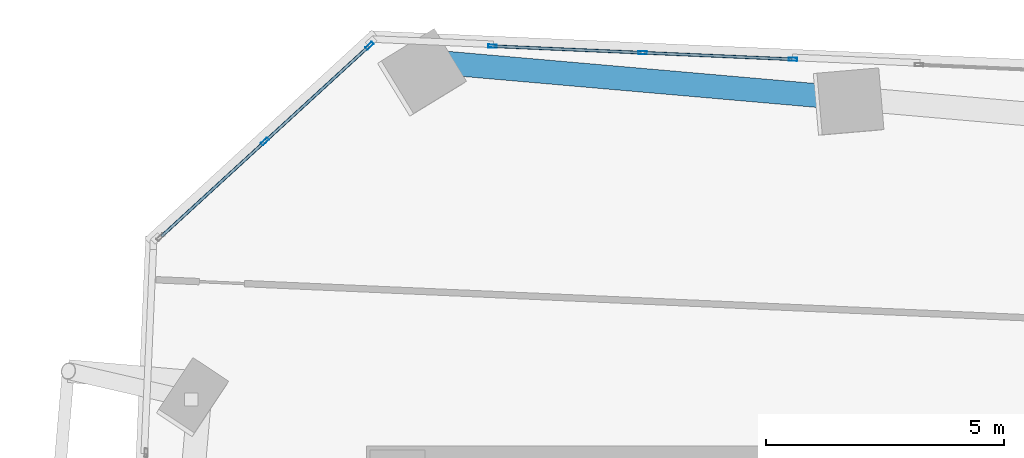
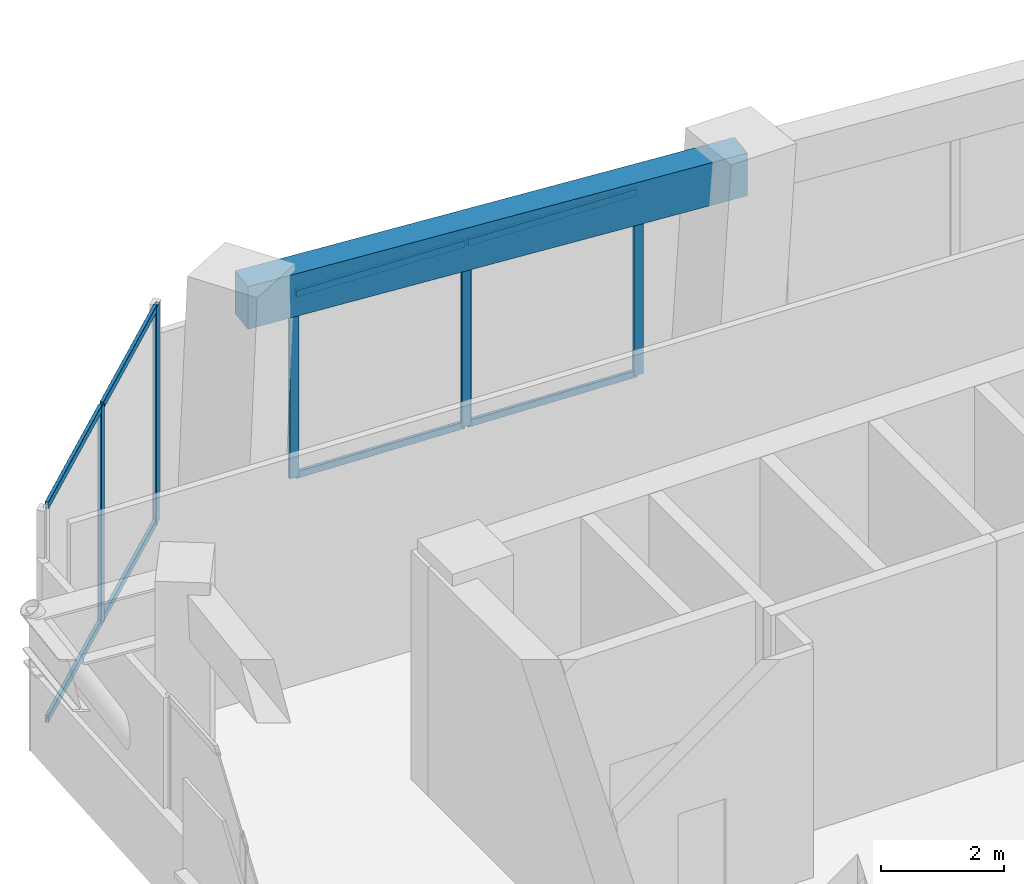
# One storey, part 16 of 26: 13 members, 1 beam, 2 elements without a shape of their own.
"""IFC4 building model written with IfcOpenShell, lengths in metres."""

from ifc_helpers import new_model, si_unit, direction, frame, origin, origin_2d, place, context, subcontext, project, spatial, rectangle, hollow_rectangle, extrude, source, transform, mapped, material, material_profile, profile_set, type_object, element, aggregate, save


model = new_model("IFC4")

# Units and contexts
model_context = context("Model", 3, precision=1e-05, world=origin(), true_north=direction((0.0, 1.0)))
body_context = subcontext(model_context, "Body", "Model", "MODEL_VIEW")
ifc_project = project(units=[si_unit("LENGTHUNIT", "METRE"), si_unit("AREAUNIT", "SQUARE_METRE"), si_unit("VOLUMEUNIT", "CUBIC_METRE"), si_unit("PLANEANGLEUNIT", "RADIAN"), si_unit("MASSUNIT", "GRAM", prefix="KILO")], contexts=[model_context])

# Site, building, storey
site_placement = place(None, origin())
site = spatial("IfcSite", under=ifc_project, at=site_placement, CompositionType="ELEMENT")
building_placement = place(site_placement, origin())
building = spatial("IfcBuilding", under=site, at=building_placement, Name="Torre Montelarca", CompositionType="ELEMENT")
storey_placement = place(building_placement, frame((0.0, 0.0, 42.39990234375)))
storey = spatial("IfcBuildingStorey", under=building, at=storey_placement, Name="L09", CompositionType="ELEMENT", Elevation=42.39990234375)

# Beam
ifc_material_1 = material(Name="Concrete C55/67", Category="concrete")
ifc_material_profile_1 = material_profile(ifc_material_1, rectangle(XDim=0.5, YDim=0.85009765625, at=origin_2d()), Name="RCB500X850", Category="concrete")
ifc_profile_set_1 = profile_set([ifc_material_profile_1], Name="Concrete C55/67")
beam_type = type_object("IfcBeamType", Name="BM-SP-RC850-EXT", PredefinedType="SPANDREL", material=ifc_profile_set_1)
shared_shape_1 = source(origin(), body_context, "Body", "SweptSolid", [
    extrude(rectangle(XDim=0.5, YDim=0.85009765625, at=origin_2d()), origin(), (0.0, 0.0, 1.0), 9.0),
])
beam_placement = place(storey_placement, frame((10.367919921875, 48.181884765625, 4.135009765625), z_axis=(0.996194541889, -0.087157528131, 0.0), x_axis=(0.087157528131, 0.996194541889, 0.0)))
element("IfcBeam", 1, at=beam_placement, inside=storey, type_object=beam_type, Name="L09 Grid Girder X 9.0-18.0 at Y=47.1", PredefinedType="SPANDREL", context=body_context, shape_type="MappedRepresentation", body=[
    mapped(shared_shape_1, transform((0.0, 0.0, 0.0), scale=1.0)),
])

# Curtain wall, members
ifc_material_2 = material(Name="Insulated low-E laminated glass", Category="glass")
curtain_wall_type = type_object("IfcCurtainWallType", Name="CW-SYS-Z1", PredefinedType="USERDEFINED", material=ifc_material_2)
curtain_wall_1_placement = place(storey_placement, origin())
curtain_wall_1 = element("IfcCurtainWall", 2, at=curtain_wall_1_placement, inside=storey, type_object=curtain_wall_type, Name="L09 Curtain Wall Run CW-T3-L09-E09-B1", ObjectType="UNITISED GLAZING", PredefinedType="USERDEFINED")
ifc_material_3 = material(Name="Anodised aluminium AA 6063-T6", Category="aluminium")
ifc_material_profile_2 = material_profile(ifc_material_3, hollow_rectangle(XDim=0.06494140625, YDim=0.179931640625, WallThickness=0.00390625, InnerFilletRadius=0.00390625, OuterFilletRadius=0.008056640625, at=origin_2d()), Name="ALU65X180X4", Category="aluminium")
ifc_profile_set_2 = profile_set([ifc_material_profile_2], Name="Anodised aluminium AA 6063-T6")
member_type_1 = type_object("IfcMemberType", Name="CWM-ALU180", PredefinedType="MULLION", material=ifc_profile_set_2)
shared_shape_2 = source(origin(), body_context, "Body", "SweptSolid", [
    extrude(hollow_rectangle(XDim=0.06494140625, YDim=0.179931640625, WallThickness=0.00390625, InnerFilletRadius=0.00390625, OuterFilletRadius=0.008056640625, at=origin_2d()), origin(), (0.0, 0.0, 1.0), 4.320068359375),
])
member_1_placement = place(storey_placement, frame((8.9609375, 48.530517578125, 0.0), z_axis=(0.0, 0.0, 1.0), x_axis=(0.67558349177, -0.737283490692, 0.0)))
member_1 = element("IfcMember", 3, at=member_1_placement, type_object=member_type_1, Name="CW mullion 1", PredefinedType="MULLION", context=body_context, shape_type="MappedRepresentation", body=[
    mapped(shared_shape_2, transform((0.0, 0.0, 0.0), scale=1.0)),
])
member_2_placement = place(storey_placement, frame((6.760986328125, 46.514892578125, 0.0), z_axis=(0.0, 0.0, 1.0), x_axis=(0.67558349177, -0.737283490692, 0.0)))
member_2 = element("IfcMember", 4, at=member_2_placement, type_object=member_type_1, Name="CW mullion 2", PredefinedType="MULLION", context=body_context, shape_type="MappedRepresentation", body=[
    mapped(shared_shape_2, transform((0.0, 0.0, 0.0), scale=1.0)),
])
ifc_material_profile_3 = material_profile(ifc_material_3, hollow_rectangle(XDim=0.06494140625, YDim=0.139892578125, WallThickness=0.00390625, InnerFilletRadius=0.00390625, OuterFilletRadius=0.008056640625, at=origin_2d()), Name="ALU65X140X4", Category="aluminium")
ifc_profile_set_3 = profile_set([ifc_material_profile_3], Name="Anodised aluminium AA 6063-T6")
member_type_2 = type_object("IfcMemberType", Name="CWT-ALU140", PredefinedType="USERDEFINED", material=ifc_profile_set_3)
shared_shape_3 = source(origin(), body_context, "Body", "SweptSolid", [
    extrude(hollow_rectangle(XDim=0.06494140625, YDim=0.139892578125, WallThickness=0.00390625, InnerFilletRadius=0.00390625, OuterFilletRadius=0.008056640625, at=origin_2d()), origin(), (0.0, 0.0, 1.0), 2.918701171875),
])
member_3_placement = place(storey_placement, frame((6.737060546875, 46.492919921875, 0.03271484375), z_axis=(-0.737258294732, -0.675610987809, 0.0), x_axis=(0.675610987809, -0.737258294732, 0.0)))
member_3 = element("IfcMember", 5, at=member_3_placement, type_object=member_type_2, Name="CW transom 2.1", ObjectType="TRANSOM", PredefinedType="USERDEFINED", context=body_context, shape_type="MappedRepresentation", body=[
    mapped(shared_shape_3, transform((0.0, 0.0, 0.0), scale=1.0)),
])
member_4_placement = place(storey_placement, frame((6.737060546875, 46.492919921875, 4.28759765625), z_axis=(-0.737258294732, -0.675610987809, 0.0), x_axis=(0.675610987809, -0.737258294732, 0.0)))
member_4 = element("IfcMember", 6, at=member_4_placement, type_object=member_type_2, Name="CW transom 2.2", ObjectType="TRANSOM", PredefinedType="USERDEFINED", context=body_context, shape_type="MappedRepresentation", body=[
    mapped(shared_shape_3, transform((0.0, 0.0, 0.0), scale=1.0)),
])
shared_shape_4 = source(origin(), body_context, "Body", "SweptSolid", [
    extrude(hollow_rectangle(XDim=0.06494140625, YDim=0.139892578125, WallThickness=0.00390625, InnerFilletRadius=0.00390625, OuterFilletRadius=0.008056640625, at=origin_2d()), origin(), (0.0, 0.0, 1.0), 2.91845703125),
])
member_5_placement = place(storey_placement, frame((8.936767578125, 48.508544921875, 0.03271484375), z_axis=(-0.737299959879, -0.675565518038, 0.0), x_axis=(0.675565518038, -0.737299959879, 0.0)))
member_5 = element("IfcMember", 7, at=member_5_placement, type_object=member_type_2, Name="CW transom 1.1", ObjectType="TRANSOM", PredefinedType="USERDEFINED", context=body_context, shape_type="MappedRepresentation", body=[
    mapped(shared_shape_4, transform((0.0, 0.0, 0.0), scale=1.0)),
])
member_6_placement = place(storey_placement, frame((8.936767578125, 48.508544921875, 4.28759765625), z_axis=(-0.737299959879, -0.675565518038, 0.0), x_axis=(0.675565518038, -0.737299959879, 0.0)))
member_6 = element("IfcMember", 8, at=member_6_placement, type_object=member_type_2, Name="CW transom 1.2", ObjectType="TRANSOM", PredefinedType="USERDEFINED", context=body_context, shape_type="MappedRepresentation", body=[
    mapped(shared_shape_4, transform((0.0, 0.0, 0.0), scale=1.0)),
])
aggregate(curtain_wall_1, [member_1, member_2, member_5, member_6, member_3, member_4])

curtain_wall_2_placement = place(storey_placement, origin())
curtain_wall_2 = element("IfcCurtainWall", 9, at=curtain_wall_2_placement, inside=storey, type_object=curtain_wall_type, Name="L09 Curtain Wall Run CW-T3-L09-E08-B3", ObjectType="UNITISED GLAZING", PredefinedType="USERDEFINED")
shared_shape_5 = source(origin(), body_context, "Body", "SweptSolid", [
    extrude(hollow_rectangle(XDim=0.06494140625, YDim=0.179931640625, WallThickness=0.00390625, InnerFilletRadius=0.00390625, OuterFilletRadius=0.008056640625, at=origin_2d()), origin(), (0.0, 0.0, 1.0), 3.675048828125),
])
member_7_placement = place(storey_placement, frame((17.8740234375, 48.24365234375, 0.0), z_axis=(0.0, 0.0, 1.0), x_axis=(-0.04361898531, -0.999048239136, 0.0)))
member_7 = element("IfcMember", 10, at=member_7_placement, type_object=member_type_1, Name="CW mullion 1", PredefinedType="MULLION", context=body_context, shape_type="MappedRepresentation", body=[
    mapped(shared_shape_5, transform((0.0, 0.0, 0.0), scale=1.0)),
])
member_8_placement = place(storey_placement, frame((14.710205078125, 48.3818359375, 0.0), z_axis=(0.0, 0.0, 1.0), x_axis=(-0.04361898531, -0.999048239136, 0.0)))
member_8 = element("IfcMember", 11, at=member_8_placement, type_object=member_type_1, Name="CW mullion 2", PredefinedType="MULLION", context=body_context, shape_type="MappedRepresentation", body=[
    mapped(shared_shape_5, transform((0.0, 0.0, 0.0), scale=1.0)),
])
member_9_placement = place(storey_placement, frame((11.54638671875, 48.52001953125, 0.0), z_axis=(0.0, 0.0, 1.0), x_axis=(-0.04361898531, -0.999048239136, 0.0)))
member_9 = element("IfcMember", 12, at=member_9_placement, type_object=member_type_1, Name="CW mullion 3", PredefinedType="MULLION", context=body_context, shape_type="MappedRepresentation", body=[
    mapped(shared_shape_5, transform((0.0, 0.0, 0.0), scale=1.0)),
])
shared_shape_6 = source(origin(), body_context, "Body", "SweptSolid", [
    extrude(hollow_rectangle(XDim=0.06494140625, YDim=0.139892578125, WallThickness=0.00390625, InnerFilletRadius=0.00390625, OuterFilletRadius=0.008056640625, at=origin_2d()), origin(), (0.0, 0.0, 1.0), 3.101806640625),
])
member_10_placement = place(storey_placement, frame((17.841552734375, 48.2451171875, 0.03271484375), z_axis=(-0.999048867499, 0.043604590924, 0.0), x_axis=(-0.043604590924, -0.999048867499, 0.0)))
member_10 = element("IfcMember", 13, at=member_10_placement, type_object=member_type_2, Name="CW transom 1.1", ObjectType="TRANSOM", PredefinedType="USERDEFINED", context=body_context, shape_type="MappedRepresentation", body=[
    mapped(shared_shape_6, transform((0.0, 0.0, 0.0), scale=1.0)),
])
member_11_placement = place(storey_placement, frame((17.841552734375, 48.2451171875, 3.642578125), z_axis=(-0.999048867499, 0.043604590924, 0.0), x_axis=(-0.043604590924, -0.999048867499, 0.0)))
member_11 = element("IfcMember", 14, at=member_11_placement, type_object=member_type_2, Name="CW transom 1.2", ObjectType="TRANSOM", PredefinedType="USERDEFINED", context=body_context, shape_type="MappedRepresentation", body=[
    mapped(shared_shape_6, transform((0.0, 0.0, 0.0), scale=1.0)),
])
member_12_placement = place(storey_placement, frame((14.677734375, 48.38330078125, 0.03271484375), z_axis=(-0.999048867499, 0.043604590924, 0.0), x_axis=(-0.043604590924, -0.999048867499, 0.0)))
member_12 = element("IfcMember", 15, at=member_12_placement, type_object=member_type_2, Name="CW transom 2.1", ObjectType="TRANSOM", PredefinedType="USERDEFINED", context=body_context, shape_type="MappedRepresentation", body=[
    mapped(shared_shape_6, transform((0.0, 0.0, 0.0), scale=1.0)),
])
member_13_placement = place(storey_placement, frame((14.677734375, 48.38330078125, 3.642578125), z_axis=(-0.999048867499, 0.043604590924, 0.0), x_axis=(-0.043604590924, -0.999048867499, 0.0)))
member_13 = element("IfcMember", 16, at=member_13_placement, type_object=member_type_2, Name="CW transom 2.2", ObjectType="TRANSOM", PredefinedType="USERDEFINED", context=body_context, shape_type="MappedRepresentation", body=[
    mapped(shared_shape_6, transform((0.0, 0.0, 0.0), scale=1.0)),
])
aggregate(curtain_wall_2, [member_7, member_8, member_9, member_10, member_11, member_12, member_13])

save(model, "model.ifc")
